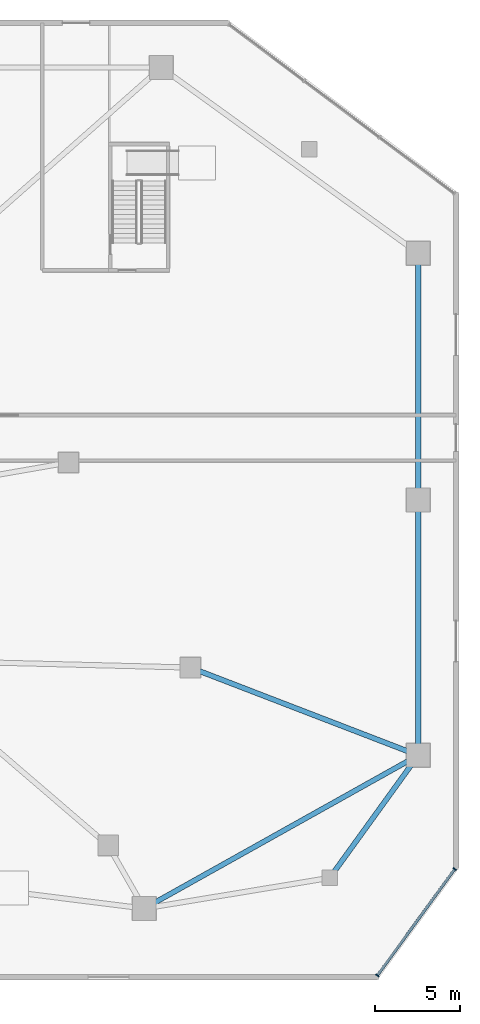
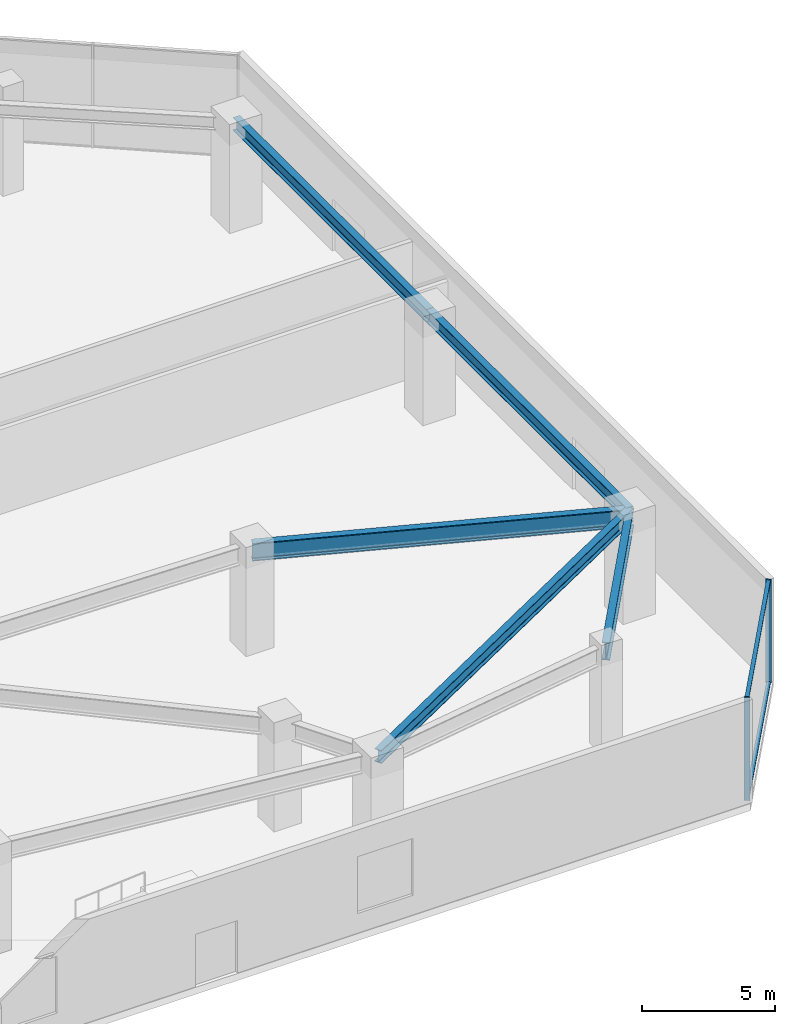
# One storey, part 6 of 22: 5 beams, 4 members, 1 element without a shape of its own.
"""IFC4 building model written with IfcOpenShell, lengths in metres."""

from ifc_helpers import new_model, si_unit, direction, frame, origin, origin_2d, place, context, subcontext, project, spatial, rectangle, i_section, extrude, material, material_profile, profile_set, type_object, element, aggregate, save


model = new_model("IFC4")

# Units and contexts
model_context = context("Model", 3, precision=1e-05, world=origin(), true_north=direction((0.0, 1.0)))
body_context = subcontext(model_context, "Body", "Model", "MODEL_VIEW")
ifc_project = project(units=[si_unit("LENGTHUNIT", "METRE"), si_unit("AREAUNIT", "SQUARE_METRE"), si_unit("VOLUMEUNIT", "CUBIC_METRE"), si_unit("PLANEANGLEUNIT", "RADIAN"), si_unit("MASSUNIT", "GRAM", prefix="KILO")], contexts=[model_context])

# Site, building, storey
site_placement = place(None, origin())
site = spatial("IfcSite", under=ifc_project, at=site_placement, CompositionType="ELEMENT")
building_placement = place(site_placement, origin())
building = spatial("IfcBuilding", under=site, at=building_placement, Name="Savorim Split Tower", CompositionType="ELEMENT")
storey_placement = place(building_placement, origin())
storey = spatial("IfcBuildingStorey", under=building, at=storey_placement, Name="L00", CompositionType="ELEMENT", Elevation=0.0)

# Beams
ifc_material_1 = material(Name="Steel S460", Category="steel")
ifc_material_profile_1 = material_profile(ifc_material_1, i_section(OverallWidth=0.302978515625, OverallDepth=0.81396484375, WebThickness=0.02099609375, FlangeThickness=0.0400390625, FilletRadius=0.030029296875, at=origin_2d()), Name="HE 800 M")
ifc_profile_set_1 = profile_set([ifc_material_profile_1], Name="Steel S460")
beam_type_1 = type_object("IfcBeamType", Name="BM-PRI-HEM800", PredefinedType="BEAM", material=ifc_profile_set_1)
beam_1_placement = place(storey_placement, frame((33.39990234375, -22.199951171875, 4.31298828125), z_axis=(0.585507615617, 0.810666905735, 0.0), x_axis=(-0.810666905735, 0.585507615617, 0.0)))
element("IfcBeam", 1, at=beam_1_placement, inside=storey, type_object=beam_type_1, Name="L00 Podium Primary Girder BG-06", PredefinedType="BEAM", context=body_context, shape_type="SweptSolid", body=[
    extrude(i_section(OverallWidth=0.302978515625, OverallDepth=0.81396484375, WebThickness=0.02099609375, FlangeThickness=0.0400390625, FilletRadius=0.030029296875, at=origin_2d()), origin(), (0.0, 0.0, 1.0), 8.881591796875),
])
beam_2_placement = place(storey_placement, frame((38.60009765625, -15.0, 4.31298828125), z_axis=(-0.933209998247, 0.359331461427, 0.0), x_axis=(-0.359331461427, -0.933209998247, 0.0)))
element("IfcBeam", 2, at=beam_2_placement, inside=storey, type_object=beam_type_1, Name="L00 Podium Primary Girder BG-07", PredefinedType="BEAM", context=body_context, shape_type="SweptSolid", body=[
    extrude(i_section(OverallWidth=0.302978515625, OverallDepth=0.81396484375, WebThickness=0.02099609375, FlangeThickness=0.0400390625, FilletRadius=0.030029296875, at=origin_2d()), origin(), (0.0, 0.0, 1.0), 14.3447265625),
])
ifc_material_2 = material(Name="Steel S355", Category="steel")
ifc_material_profile_2 = material_profile(ifc_material_2, i_section(OverallWidth=0.300048828125, OverallDepth=0.590087890625, WebThickness=0.012939453125, FlangeThickness=0.02490234375, FilletRadius=0.027099609375, at=origin_2d()), Name="HEA 600")
ifc_profile_set_2 = profile_set([ifc_material_profile_2], Name="Steel S355")
beam_type_2 = type_object("IfcBeamType", Name="BM-SPN-HEA600", PredefinedType="SPANDREL", material=ifc_profile_set_2)
beam_3_placement = place(storey_placement, frame((22.5, -24.0, 4.425048828125), z_axis=(0.872876830371, 0.487940610117, 0.0), x_axis=(-0.487940610117, 0.872876830371, 0.0)))
element("IfcBeam", 3, at=beam_3_placement, inside=storey, type_object=beam_type_2, Name="L00 Podium Spandrel Beam 2", PredefinedType="SPANDREL", context=body_context, shape_type="SweptSolid", body=[
    extrude(i_section(OverallWidth=0.300048828125, OverallDepth=0.590087890625, WebThickness=0.012939453125, FlangeThickness=0.02490234375, FilletRadius=0.027099609375, at=origin_2d()), origin(), (0.0, 0.0, 1.0), 18.44482421875),
])
beam_4_placement = place(storey_placement, frame((38.60009765625, -15.0, 4.425048828125), z_axis=(0.0, 1.0, 0.0), x_axis=(-1.0, 0.0, 0.0)))
element("IfcBeam", 4, at=beam_4_placement, inside=storey, type_object=beam_type_2, Name="L00 Podium Spandrel Beam 3", PredefinedType="SPANDREL", context=body_context, shape_type="SweptSolid", body=[
    extrude(i_section(OverallWidth=0.300048828125, OverallDepth=0.590087890625, WebThickness=0.012939453125, FlangeThickness=0.02490234375, FilletRadius=0.027099609375, at=origin_2d()), origin(), (0.0, 0.0, 1.0), 15.0),
])
beam_5_placement = place(storey_placement, frame((38.60009765625, 0.0, 4.425048828125), z_axis=(0.0, 1.0, 0.0), x_axis=(-1.0, 0.0, 0.0)))
element("IfcBeam", 5, at=beam_5_placement, inside=storey, type_object=beam_type_2, Name="L00 Podium Spandrel Beam 4", PredefinedType="SPANDREL", context=body_context, shape_type="SweptSolid", body=[
    extrude(i_section(OverallWidth=0.300048828125, OverallDepth=0.590087890625, WebThickness=0.012939453125, FlangeThickness=0.02490234375, FilletRadius=0.027099609375, at=origin_2d()), origin(), (0.0, 0.0, 1.0), 14.5),
])

# Curtain wall, members
ifc_material_3 = material(Name="Dark Ceramic-Fritted Insulated Glass", Category="glass")
curtain_wall_type = type_object("IfcCurtainWallType", Name="CW-POD-GLZ", PredefinedType="NOTDEFINED", material=ifc_material_3)
curtain_wall_placement = place(storey_placement, origin())
curtain_wall = element("IfcCurtainWall", 6, at=curtain_wall_placement, inside=storey, type_object=curtain_wall_type, Name="L00 Curtain Wall CW-L00-E05", PredefinedType="NOTDEFINED")
ifc_material_4 = material(Name="Charcoal Anodised Aluminium", Category="aluminium")
ifc_material_profile_3 = material_profile(ifc_material_4, rectangle(XDim=0.219970703125, YDim=0.070068359375, at=origin_2d()), Name="ALU-M 220x70")
ifc_profile_set_3 = profile_set([ifc_material_profile_3], Name="Charcoal Anodised Aluminium")
member_type_1 = type_object("IfcMemberType", Name="CWM-220x70", PredefinedType="MULLION", material=ifc_profile_set_3)
member_1_placement = place(storey_placement, frame((36.197021484375, -27.931884765625, 0.0), z_axis=(0.0, 0.0, 1.0), x_axis=(-0.808737192991, 0.588170173227, 0.0)))
member_1 = element("IfcMember", 7, at=member_1_placement, type_object=member_type_1, Name="CW-01 mullion 1", PredefinedType="MULLION", context=body_context, shape_type="SweptSolid", body=[
    extrude(rectangle(XDim=0.219970703125, YDim=0.070068359375, at=origin_2d()), origin(), (0.0, 0.0, 1.0), 4.719970703125),
])
member_2_placement = place(storey_placement, frame((40.744140625, -21.6796875, 0.0), z_axis=(0.0, 0.0, 1.0), x_axis=(-0.808737192991, 0.588170173227, 0.0)))
member_2 = element("IfcMember", 8, at=member_2_placement, type_object=member_type_1, Name="CW-01 mullion 2", PredefinedType="MULLION", context=body_context, shape_type="SweptSolid", body=[
    extrude(rectangle(XDim=0.219970703125, YDim=0.070068359375, at=origin_2d()), origin(), (0.0, 0.0, 1.0), 4.719970703125),
])
ifc_material_profile_4 = material_profile(ifc_material_4, rectangle(XDim=0.159912109375, YDim=0.06005859375, at=origin_2d()), Name="ALU-T 160x60")
ifc_profile_set_4 = profile_set([ifc_material_profile_4], Name="Charcoal Anodised Aluminium")
member_type_2 = type_object("IfcMemberType", Name="CWT-160x60", PredefinedType="USERDEFINED", material=ifc_profile_set_4)
member_3_placement = place(storey_placement, frame((36.2177734375, -27.90380859375, 0.030029296875), z_axis=(0.58815653872, 0.80874710878, 0.0), x_axis=(-0.80874710878, 0.58815653872, 0.0)))
member_3 = element("IfcMember", 9, at=member_3_placement, type_object=member_type_2, Name="CW-01 transom 1.1", ObjectType="TRANSOM", PredefinedType="USERDEFINED", context=body_context, shape_type="SweptSolid", body=[
    extrude(rectangle(XDim=0.159912109375, YDim=0.06005859375, at=origin_2d()), origin(), (0.0, 0.0, 1.0), 7.660888671875),
])
member_4_placement = place(storey_placement, frame((36.2177734375, -27.90380859375, 4.68994140625), z_axis=(0.58815653872, 0.80874710878, 0.0), x_axis=(-0.80874710878, 0.58815653872, 0.0)))
member_4 = element("IfcMember", 10, at=member_4_placement, type_object=member_type_2, Name="CW-01 transom 1.2", ObjectType="TRANSOM", PredefinedType="USERDEFINED", context=body_context, shape_type="SweptSolid", body=[
    extrude(rectangle(XDim=0.159912109375, YDim=0.06005859375, at=origin_2d()), origin(), (0.0, 0.0, 1.0), 7.660888671875),
])
aggregate(curtain_wall, [member_1, member_2, member_3, member_4])

save(model, "model.ifc")
